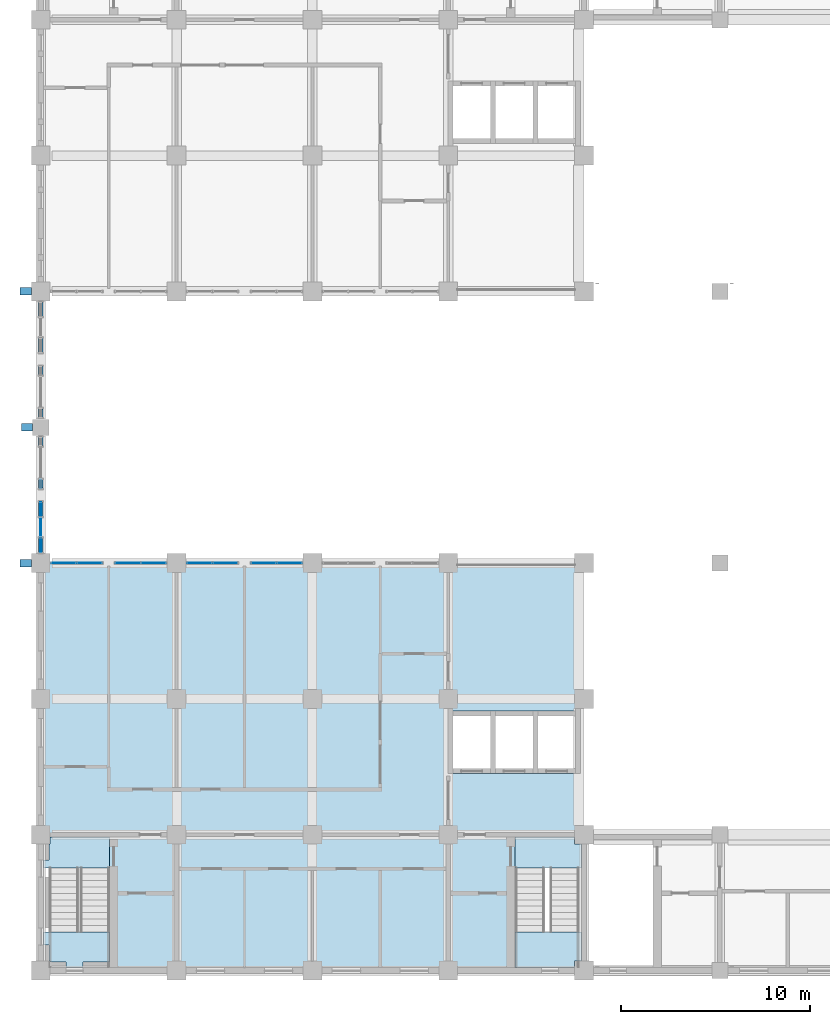
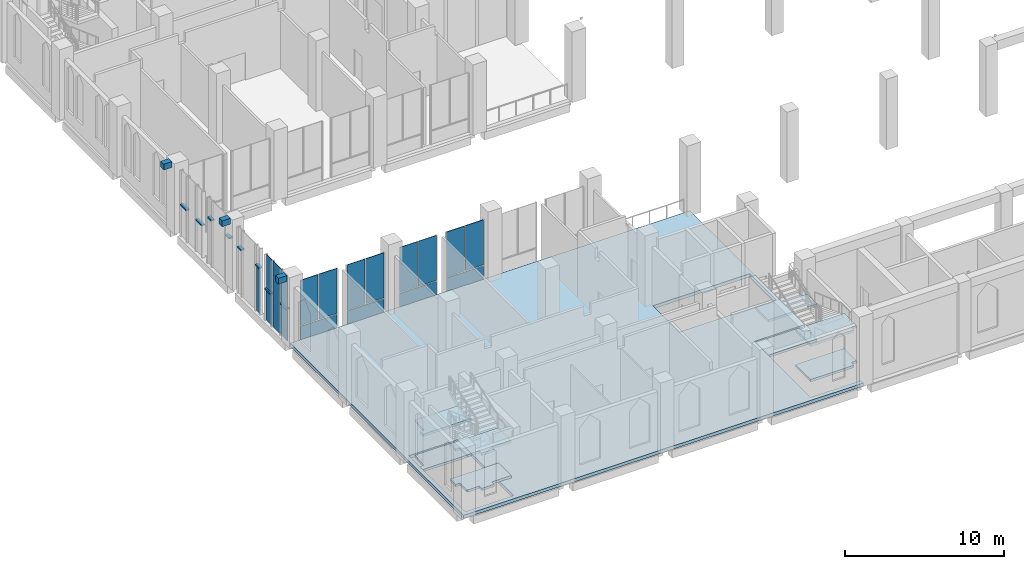
# One storey, part 21 of 48: 18 plates, 11 members, 9 slabs, 10 elements without a shape of their own.
"""IFC4 building model written with IfcOpenShell, lengths in metres."""

import ifcopenshell
import ifcopenshell.guid

model = None  # the IFC model being written
_history = None  # IfcOwnerHistory: only IFC2X3 demands one
_inside = {}  # id of a spatial element -> (the spatial element, [elements in it])
_under = {}  # id of a project, library or spatial element -> (it, [spatial elements below it])
_declared = {}  # id of a project -> (the project, [libraries it declares])
_typed = {}  # id of a type object -> (the type object, [elements of that type])
_made_of = {}  # id of a material, layer set ... -> (it, [elements and type objects made of it])


def new_model(schema):
    """Start an empty IFC model of exactly this schema.

    Asked for "IFC4X3", IfcOpenShell would pick the latest addendum, in which some entities
    have other attributes; the version numbers below select the first issue.
    IFC2X3 requires an IfcOwnerHistory on every rooted entity: one is made here for all.
    """
    global model, _history
    if schema == "IFC4X3":
        model = ifcopenshell.file(schema_version=(4, 3, 0, 0))
    else:
        model = ifcopenshell.file(schema=schema)
    _inside.clear()
    _under.clear()
    _declared.clear()
    _typed.clear()
    _made_of.clear()
    _history = None
    if model.schema == "IFC2X3":
        org = make("IfcOrganization", Name="unknown")
        user = make(
            "IfcPersonAndOrganization",
            ThePerson=make("IfcPerson", FamilyName="unknown"),
            TheOrganization=org,
        )
        app = make(
            "IfcApplication",
            ApplicationDeveloper=org,
            Version="unknown",
            ApplicationFullName="unknown",
            ApplicationIdentifier="unknown",
        )
        _history = make(
            "IfcOwnerHistory",
            OwningUser=user,
            OwningApplication=app,
            ChangeAction="ADDED",
            CreationDate=0,
        )
    return model


def make(cls, **values):
    """One entity of the class cls with the attributes given. An attribute that is None is left unset."""
    return model.create_entity(
        cls, **{name: value for name, value in values.items() if value is not None}
    )


def rooted(cls, **values):
    """An entity with a GlobalId (a new one), such as an element, a storey or a relation."""
    return make(cls, GlobalId=ifcopenshell.guid.new(), OwnerHistory=_history, **values)


def si_unit(unit_type, name, prefix=None):
    """IfcSIUnit, for example si_unit("LENGTHUNIT", "METRE", prefix="MILLI")."""
    return make("IfcSIUnit", UnitType=unit_type, Prefix=prefix, Name=name)


def assignment(units):
    """IfcUnitAssignment: the units of a project."""
    return None if units is None else make("IfcUnitAssignment", Units=units)


def point(xyz):
    """IfcCartesianPoint."""
    return None if xyz is None else make("IfcCartesianPoint", Coordinates=xyz)


def direction(xyz):
    """IfcDirection."""
    return None if xyz is None else make("IfcDirection", DirectionRatios=xyz)


def frame(location, z_axis=None, x_axis=None):
    """IfcAxis2Placement3D, a coordinate frame: its origin and axes. An axis left out is left unset."""
    return make(
        "IfcAxis2Placement3D",
        Location=point(location),
        Axis=direction(z_axis),
        RefDirection=direction(x_axis),
    )


def frame_2d(location, x_axis=None):
    """IfcAxis2Placement2D, a coordinate frame in the plane: its origin and x axis."""
    return make(
        "IfcAxis2Placement2D", Location=point(location), RefDirection=direction(x_axis)
    )


def origin():
    """The frame at (0, 0, 0) with its axes left unset."""
    return frame((0.0, 0.0, 0.0))


def origin_2d():
    """The frame at (0, 0) in the plane with its x axis left unset."""
    return frame_2d((0.0, 0.0))


def place(relative_to, where):
    """IfcLocalPlacement: puts the frame where relative to a parent placement (None: the world)."""
    return make(
        "IfcLocalPlacement", PlacementRelTo=relative_to, RelativePlacement=where
    )


def context(
    kind, dimensions, precision=None, world=None, true_north=None, identifier=None
):
    """IfcGeometricRepresentationContext, for example the 3D "Model" context."""
    return make(
        "IfcGeometricRepresentationContext",
        ContextIdentifier=identifier,
        ContextType=kind,
        CoordinateSpaceDimension=dimensions,
        Precision=precision,
        WorldCoordinateSystem=world,
        TrueNorth=true_north,
    )


def subcontext(parent, identifier, kind, view, scale=None):
    """IfcGeometricRepresentationSubContext, for example "Body" below "Model"."""
    return make(
        "IfcGeometricRepresentationSubContext",
        ContextIdentifier=identifier,
        ContextType=kind,
        ParentContext=parent,
        TargetScale=scale,
        TargetView=view,
    )


def project(units=None, contexts=None):
    """IfcProject with its units and contexts."""
    return rooted(
        "IfcProject",
        Name="project",
        RepresentationContexts=contexts,
        UnitsInContext=assignment(units),
    )


def spatial(cls, under=None, at=None, **own):
    """A site, building, storey or space (cls), placed at a placement, below another one or the project."""
    s = rooted(cls, ObjectPlacement=at, **own)
    if under is not None:
        _under.setdefault(under.id(), (under, []))[1].append(s)
    return s


def polyline(points):
    """IfcPolyline through the points."""
    return make("IfcPolyline", Points=[point(p) for p in points])


def profile(cls, at=None, kind="AREA", **sizes):
    """A parametric profile (cls). Its sizes go by their IFC names, for example OverallWidth=200.0."""
    return make(cls, ProfileType=kind, Position=at, **sizes)


def rectangle(**sizes):
    """IfcRectangleProfileDef."""
    return profile("IfcRectangleProfileDef", **sizes)


def hollow_rectangle(**sizes):
    """IfcRectangleHollowProfileDef."""
    return profile("IfcRectangleHollowProfileDef", **sizes)


def outline(outer, holes=None, kind="AREA"):
    """IfcArbitraryClosedProfileDef: a profile drawn as a closed curve; with holes, ...WithVoids."""
    if holes is None:
        return make("IfcArbitraryClosedProfileDef", ProfileType=kind, OuterCurve=outer)
    return make(
        "IfcArbitraryProfileDefWithVoids",
        ProfileType=kind,
        OuterCurve=outer,
        InnerCurves=holes,
    )


def extrude(swept, where, along, depth):
    """IfcExtrudedAreaSolid: the profile swept, set in the frame where, extruded along a direction by depth."""
    return make(
        "IfcExtrudedAreaSolid",
        SweptArea=swept,
        Position=where,
        ExtrudedDirection=direction(along),
        Depth=depth,
    )


def shape(context_of_items, identifier, shape_type, items):
    """IfcShapeRepresentation: the items that make up one representation, for example the "Body"."""
    return make(
        "IfcShapeRepresentation",
        ContextOfItems=context_of_items,
        RepresentationIdentifier=identifier,
        RepresentationType=shape_type,
        Items=items,
    )


def material(Name=None, Category=None):
    """IfcMaterial."""
    return make("IfcMaterial", Name=Name, Category=Category)


def layer(
    of_material, thickness, ventilated=None, Name=None, Category=None, Priority=None
):
    """IfcMaterialLayer: one layer of a wall or slab, of a material (None: an air gap)."""
    return make(
        "IfcMaterialLayer",
        Material=of_material,
        LayerThickness=thickness,
        IsVentilated=ventilated,
        Name=Name,
        Category=Category,
        Priority=Priority,
    )


def layer_set(layers, Name=None):
    """IfcMaterialLayerSet."""
    return make("IfcMaterialLayerSet", MaterialLayers=layers, LayerSetName=Name)


def material_profile(
    of_material, cross_section, Name=None, Category=None, Priority=None
):
    """IfcMaterialProfile: a cross section and its material."""
    return make(
        "IfcMaterialProfile",
        Name=Name,
        Material=of_material,
        Profile=cross_section,
        Priority=Priority,
        Category=Category,
    )


def profile_set(profiles, Name=None, composite=None):
    """IfcMaterialProfileSet."""
    return make(
        "IfcMaterialProfileSet",
        Name=Name,
        MaterialProfiles=profiles,
        CompositeProfile=composite,
    )


def made_of(thing, what):
    """Note that an element or type object is made of a material, layer set ...; save() writes the relation."""
    if what is not None:
        _made_of.setdefault(what.id(), (what, []))[1].append(thing)
    return thing


def type_object(cls, material=None, **own):
    """A type object (cls), such as IfcWallType, which elements share."""
    return made_of(rooted(cls, **own), material)


def element(
    cls,
    number,
    at=None,
    inside=None,
    cuts=None,
    type_object=None,
    material=None,
    context=None,
    identifier="Body",
    shape_type=None,
    held_by="IfcProductDefinitionShape",
    body=None,
    shapes=None,
    **own,
):
    """One element of the class cls, such as IfcWall. Its Tag is "e" and its number.

    at: its placement. inside: the storey or other place that contains it. cuts: it is an
    opening in that element (IfcRelVoidsElement). A single representation is given by context,
    identifier, shape_type and body (its items); several are given by shapes. held_by: the class
    of the entity that holds the representations. save() writes the other relations.
    """
    e = rooted(cls, Tag="e%d" % number, ObjectPlacement=at, **own)
    if body is not None:
        shapes = [shape(context, identifier, shape_type, body)]
    if shapes is not None:
        e.Representation = make(held_by, Representations=shapes)
    if inside is not None:
        _inside.setdefault(inside.id(), (inside, []))[1].append(e)
    if cuts is not None:
        rooted(
            "IfcRelVoidsElement", RelatingBuildingElement=cuts, RelatedOpeningElement=e
        )
    if type_object is not None:
        _typed.setdefault(type_object.id(), (type_object, []))[1].append(e)
    return made_of(e, material)


def aggregate(whole, parts):
    """IfcRelAggregates: a whole, such as a stair, and the parts it consists of."""
    return rooted("IfcRelAggregates", RelatingObject=whole, RelatedObjects=parts)


def save(model, path):
    """Write the relations noted so far, then the file.

    IfcRelAggregates (storeys below a building ...), IfcRelContainedInSpatialStructure (elements
    in a storey), IfcRelDefinesByType, IfcRelAssociatesMaterial and IfcRelDeclares: one each for
    every whole, place, type object, material and project.
    """
    for whole, parts in _under.values():
        aggregate(whole, parts)
    for where, things in _inside.values():
        rooted(
            "IfcRelContainedInSpatialStructure",
            RelatedElements=things,
            RelatingStructure=where,
        )
    for kind, things in _typed.values():
        rooted("IfcRelDefinesByType", RelatedObjects=things, RelatingType=kind)
    for what, things in _made_of.values():
        rooted("IfcRelAssociatesMaterial", RelatedObjects=things, RelatingMaterial=what)
    for by, libraries in _declared.values():
        rooted("IfcRelDeclares", RelatingContext=by, RelatedDefinitions=libraries)
    model.write(path)


model = new_model("IFC4")

# Units and contexts
model_context = context("Model", 3, precision=1e-05, world=origin(), true_north=direction((0.0, 1.0)))
body_context = subcontext(model_context, "Body", "Model", "MODEL_VIEW")
ifc_project = project(units=[si_unit("LENGTHUNIT", "METRE"), si_unit("AREAUNIT", "SQUARE_METRE"), si_unit("VOLUMEUNIT", "CUBIC_METRE"), si_unit("PLANEANGLEUNIT", "RADIAN"), si_unit("MASSUNIT", "GRAM", prefix="KILO")], contexts=[model_context])

# Site, building, storey
site_placement = place(None, origin())
site = spatial("IfcSite", under=ifc_project, at=site_placement, CompositionType="ELEMENT")
building_placement = place(site_placement, origin())
building = spatial("IfcBuilding", under=site, at=building_placement, Name="Silangan Lancet Faculty of Sciences", CompositionType="ELEMENT")
storey_placement = place(building_placement, frame((0.0, 0.0, 6.0)))
storey = spatial("IfcBuildingStorey", under=building, at=storey_placement, Name="L01", CompositionType="ELEMENT", Elevation=6.0)

# Curtain wall, members
ifc_material_1 = material(Name="Aluminium framed curtain wall with insulated glass", Category="aluminium")
curtain_wall_type_1 = type_object("IfcCurtainWallType", Name="CW3 West stepped lancet window", PredefinedType="NOTDEFINED", material=ifc_material_1)
curtain_wall_1_placement = place(storey_placement, origin())
curtain_wall_1 = element("IfcCurtainWall", 1, at=curtain_wall_1_placement, inside=storey, type_object=curtain_wall_type_1, Name="CW3 West window L01 bay 1", PredefinedType="NOTDEFINED")
ifc_material_2 = material(Name="Aluminium 6063-T6 extrusion", Category="aluminium")
ifc_material_profile_1 = material_profile(ifc_material_2, hollow_rectangle(XDim=0.25, YDim=0.10009765625, WallThickness=0.0048828125, at=origin_2d()), Name="AL BOX 250x100x5")
ifc_profile_set_1 = profile_set([ifc_material_profile_1], Name="Aluminium 6063-T6 extrusion")
member_type_1 = type_object("IfcMemberType", Name="CT3 Transom 250x100", PredefinedType="USERDEFINED", material=ifc_profile_set_1)
member_1_placement = place(storey_placement, frame((0.0, 22.175048828125, 2.199951171875), z_axis=(0.0, 1.0, 0.0), x_axis=(-1.0, 0.0, 0.0)))
member_1 = element("IfcMember", 2, at=member_1_placement, type_object=member_type_1, Name="CW3 West window L01 bay 1 transom 1", ObjectType="TRANSOM", PredefinedType="USERDEFINED", context=body_context, shape_type="SweptSolid", body=[
    extrude(hollow_rectangle(XDim=0.25, YDim=0.10009765625, WallThickness=0.0048828125, at=origin_2d()), origin(), (0.0, 0.0, 1.0), 0.75),
])
member_2_placement = place(storey_placement, frame((0.0, 24.074951171875, 2.199951171875), z_axis=(0.0, 1.0, 0.0), x_axis=(-1.0, 0.0, 0.0)))
member_2 = element("IfcMember", 3, at=member_2_placement, type_object=member_type_1, Name="CW3 West window L01 bay 1 transom 2", ObjectType="TRANSOM", PredefinedType="USERDEFINED", context=body_context, shape_type="SweptSolid", body=[
    extrude(hollow_rectangle(XDim=0.25, YDim=0.10009765625, WallThickness=0.0048828125, at=origin_2d()), origin(), (0.0, 0.0, 1.0), 0.75),
])

ifc_material_3 = material(Name="Aluminium framed curtain wall with insulated glass", Category="aluminium")
curtain_wall_type_2 = type_object("IfcCurtainWallType", Name="CW6 West window middle bays", PredefinedType="NOTDEFINED", material=ifc_material_3)
curtain_wall_2_placement = place(storey_placement, origin())
curtain_wall_2 = element("IfcCurtainWall", 4, at=curtain_wall_2_placement, inside=storey, type_object=curtain_wall_type_2, Name="CW6 West window L01 bay 2", PredefinedType="NOTDEFINED")
member_3_placement = place(storey_placement, frame((0.0, 25.574951171875, 3.300048828125), z_axis=(0.0, 1.0, 0.0), x_axis=(-1.0, 0.0, 0.0)))
member_3 = element("IfcMember", 5, at=member_3_placement, type_object=member_type_1, Name="CW6 West window L01 bay 2 transom 1", ObjectType="TRANSOM", PredefinedType="USERDEFINED", context=body_context, shape_type="SweptSolid", body=[
    extrude(hollow_rectangle(XDim=0.25, YDim=0.10009765625, WallThickness=0.0048828125, at=origin_2d()), origin(), (0.0, 0.0, 1.0), 0.449951171875),
])
member_4_placement = place(storey_placement, frame((0.0, 27.824951171875, 3.300048828125), z_axis=(0.0, 1.0, 0.0), x_axis=(-1.0, 0.0, 0.0)))
member_4 = element("IfcMember", 6, at=member_4_placement, type_object=member_type_1, Name="CW6 West window L01 bay 2 transom 2", ObjectType="TRANSOM", PredefinedType="USERDEFINED", context=body_context, shape_type="SweptSolid", body=[
    extrude(hollow_rectangle(XDim=0.25, YDim=0.10009765625, WallThickness=0.0048828125, at=origin_2d()), origin(), (0.0, 0.0, 1.0), 0.449951171875),
])

curtain_wall_3_placement = place(storey_placement, origin())
curtain_wall_3 = element("IfcCurtainWall", 7, at=curtain_wall_3_placement, inside=storey, type_object=curtain_wall_type_2, Name="CW6 West window L01 bay 3", PredefinedType="NOTDEFINED")
member_5_placement = place(storey_placement, frame((0.0, 29.324951171875, 3.300048828125), z_axis=(0.0, 1.0, 0.0), x_axis=(-1.0, 0.0, 0.0)))
member_5 = element("IfcMember", 8, at=member_5_placement, type_object=member_type_1, Name="CW6 West window L01 bay 3 transom 1", ObjectType="TRANSOM", PredefinedType="USERDEFINED", context=body_context, shape_type="SweptSolid", body=[
    extrude(hollow_rectangle(XDim=0.25, YDim=0.10009765625, WallThickness=0.0048828125, at=origin_2d()), origin(), (0.0, 0.0, 1.0), 0.449951171875),
])
member_6_placement = place(storey_placement, frame((0.0, 31.574951171875, 3.300048828125), z_axis=(0.0, 1.0, 0.0), x_axis=(-1.0, 0.0, 0.0)))
member_6 = element("IfcMember", 9, at=member_6_placement, type_object=member_type_1, Name="CW6 West window L01 bay 3 transom 2", ObjectType="TRANSOM", PredefinedType="USERDEFINED", context=body_context, shape_type="SweptSolid", body=[
    extrude(hollow_rectangle(XDim=0.25, YDim=0.10009765625, WallThickness=0.0048828125, at=origin_2d()), origin(), (0.0, 0.0, 1.0), 0.449951171875),
])
aggregate(curtain_wall_3, [member_5, member_6])

curtain_wall_4_placement = place(storey_placement, origin())
curtain_wall_4 = element("IfcCurtainWall", 10, at=curtain_wall_4_placement, inside=storey, type_object=curtain_wall_type_1, Name="CW3 West window L01 bay 4", PredefinedType="NOTDEFINED")
member_7_placement = place(storey_placement, frame((0.0, 32.77490234375, 2.199951171875), z_axis=(0.0, 1.0, 0.0), x_axis=(-1.0, 0.0, 0.0)))
member_7 = element("IfcMember", 11, at=member_7_placement, type_object=member_type_1, Name="CW3 West window L01 bay 4 transom 1", ObjectType="TRANSOM", PredefinedType="USERDEFINED", context=body_context, shape_type="SweptSolid", body=[
    extrude(hollow_rectangle(XDim=0.25, YDim=0.10009765625, WallThickness=0.0048828125, at=origin_2d()), origin(), (0.0, 0.0, 1.0), 0.75),
])
member_8_placement = place(storey_placement, frame((0.0, 34.675048828125, 2.199951171875), z_axis=(0.0, 1.0, 0.0), x_axis=(-1.0, 0.0, 0.0)))
member_8 = element("IfcMember", 12, at=member_8_placement, type_object=member_type_1, Name="CW3 West window L01 bay 4 transom 2", ObjectType="TRANSOM", PredefinedType="USERDEFINED", context=body_context, shape_type="SweptSolid", body=[
    extrude(hollow_rectangle(XDim=0.25, YDim=0.10009765625, WallThickness=0.0048828125, at=origin_2d()), origin(), (0.0, 0.0, 1.0), 0.75),
])
aggregate(curtain_wall_4, [member_7, member_8])

# Members
ifc_material_4 = material(Name="Concrete C40/50 precast", Category="concrete")
ifc_material_profile_2 = material_profile(ifc_material_4, rectangle(XDim=0.39990234375, YDim=0.449951171875, at=origin_2d()), Name="RC 400x450")
ifc_profile_set_2 = profile_set([ifc_material_profile_2], Name="Concrete C40/50 precast")
member_type_2 = type_object("IfcMemberType", Name="KC2 Buttress corbel 400x450", PredefinedType="USERDEFINED", material=ifc_profile_set_2)
for number, where, z_axis, x_axis, name in (
    (13, (-0.5, 21.60009765625, 5.175048828125), (-1.0, 0.0, 0.0), (0.0, -1.0, 0.0), "CORBEL-FINC-W-NAVE-01"),
    (14, (-0.425048828125, 28.800048828125, 5.175048828125), (-1.0, 0.0, 0.0), (0.0, -1.0, 0.0), "CORBEL-FINC-W-NAVE-02"),
    (15, (-0.5, 36.0, 5.175048828125), (-1.0, 0.0, 0.0), (0.0, -1.0, 0.0), "CORBEL-FINC-W-NAVE-03"),
):
    element("IfcMember", number, at=place(storey_placement, frame(where, z_axis=z_axis, x_axis=x_axis)), inside=storey, type_object=member_type_2, Name=name, ObjectType="CORBEL", PredefinedType="USERDEFINED", context=body_context, shape_type="SweptSolid", body=[
        extrude(rectangle(XDim=0.39990234375, YDim=0.449951171875, at=origin_2d()), origin(), (0.0, 0.0, 1.0), 0.60009765625),
    ])

# Plate
ifc_material_5 = material(Name="Insulated glass unit 8+16+8 low-emissivity", Category="glass")
ifc_layer_1 = layer(ifc_material_5, 0.031982421875)
ifc_layer_set_1 = layer_set([ifc_layer_1], Name="Insulated glass unit 8+16+8 low-emissivity")
plate_type_1 = type_object("IfcPlateType", Name="CP1 Panel vision glass 32", PredefinedType="CURTAIN_PANEL", material=ifc_layer_set_1)
plate_1_placement = place(storey_placement, frame((0.0, 22.550048828125, 2.25), z_axis=(0.0, 0.0, 1.0), x_axis=(0.0, 1.0, 0.0)))
plate_1 = element("IfcPlate", 16, at=plate_1_placement, type_object=plate_type_1, Name="CW3 West window L01 bay 1 panel 3", PredefinedType="CURTAIN_PANEL", context=body_context, shape_type="SweptSolid", body=[
    extrude(rectangle(XDim=0.75, YDim=0.031982421875, at=origin_2d()), origin(), (0.0, 0.0, 1.0), 2.550048828125),
])

plate_2_placement = place(storey_placement, frame((0.0, 24.449951171875, 2.25), z_axis=(0.0, 0.0, 1.0), x_axis=(0.0, 1.0, 0.0)))
plate_2 = element("IfcPlate", 17, at=plate_2_placement, type_object=plate_type_1, Name="CW3 West window L01 bay 1 panel 4", PredefinedType="CURTAIN_PANEL", context=body_context, shape_type="SweptSolid", body=[
    extrude(rectangle(XDim=0.75, YDim=0.031982421875, at=origin_2d()), origin(), (0.0, 0.0, 1.0), 2.550048828125),
])

ifc_material_6 = material(Name="Laminated insulated glass unit 10.76+14+8", Category="glass")
ifc_layer_2 = layer(ifc_material_6, 0.035888671875)
ifc_layer_set_2 = layer_set([ifc_layer_2], Name="Laminated insulated glass unit 10.76+14+8")
plate_type_2 = type_object("IfcPlateType", Name="CP2 Panel laminated glass 36", PredefinedType="CURTAIN_PANEL", material=ifc_layer_set_2)
plate_3_placement = place(storey_placement, frame((0.0, 22.550048828125, -0.25), z_axis=(0.0, 0.0, 1.0), x_axis=(0.0, 1.0, 0.0)))
plate_3 = element("IfcPlate", 18, at=plate_3_placement, type_object=plate_type_2, Name="CW3 West window L01 bay 1 panel 1", PredefinedType="CURTAIN_PANEL", context=body_context, shape_type="SweptSolid", body=[
    extrude(rectangle(XDim=0.75, YDim=0.035888671875, at=origin_2d()), origin(), (0.0, 0.0, 1.0), 2.39990234375),
])

plate_4_placement = place(storey_placement, frame((0.0, 24.449951171875, -0.25), z_axis=(0.0, 0.0, 1.0), x_axis=(0.0, 1.0, 0.0)))
plate_4 = element("IfcPlate", 19, at=plate_4_placement, type_object=plate_type_2, Name="CW3 West window L01 bay 1 panel 2", PredefinedType="CURTAIN_PANEL", context=body_context, shape_type="SweptSolid", body=[
    extrude(rectangle(XDim=0.75, YDim=0.035888671875, at=origin_2d()), origin(), (0.0, 0.0, 1.0), 2.39990234375),
])

plate_5_placement = place(storey_placement, frame((0.0, 23.5, -0.25), z_axis=(0.0, 0.0, 1.0), x_axis=(0.0, 1.0, 0.0)))
plate_5 = element("IfcPlate", 20, at=plate_5_placement, type_object=plate_type_2, Name="CW3 West window L01 bay 1 panel 5", PredefinedType="CURTAIN_PANEL", context=body_context, shape_type="SweptSolid", body=[
    extrude(rectangle(XDim=1.0, YDim=0.035888671875, at=origin_2d()), origin(), (0.0, 0.0, 1.0), 5.050048828125),
])

aggregate(curtain_wall_1, [member_1, member_2, plate_3, plate_4, plate_1, plate_2, plate_5])

plate_6_placement = place(storey_placement, frame((0.0, 25.800048828125, -0.25), z_axis=(0.0, 0.0, 1.0), x_axis=(0.0, 1.0, 0.0)))
plate_6 = element("IfcPlate", 21, at=plate_6_placement, type_object=plate_type_2, Name="CW6 West window L01 bay 2 panel 1", PredefinedType="CURTAIN_PANEL", context=body_context, shape_type="SweptSolid", body=[
    extrude(rectangle(XDim=0.449951171875, YDim=0.035888671875, at=origin_2d()), origin(), (0.0, 0.0, 1.0), 3.5),
])

aggregate(curtain_wall_2, [member_3, member_4, plate_6])

# Curtain wall, plates
ifc_material_7 = material(Name="Aluminium framed curtain wall with insulated glass", Category="aluminium")
curtain_wall_type_3 = type_object("IfcCurtainWallType", Name="CW2 Atrium fire-resisting screen", PredefinedType="NOTDEFINED", material=ifc_material_7)
curtain_wall_5_placement = place(storey_placement, origin())
curtain_wall_5 = element("IfcCurtainWall", 22, at=curtain_wall_5_placement, inside=storey, type_object=curtain_wall_type_3, Name="CW2 Atrium south L01 bay 3", PredefinedType="NOTDEFINED")
ifc_material_8 = material(Name="Fire-resisting glass unit 40 mm, integrity E", Category="glass")
ifc_layer_3 = layer(ifc_material_8, 0.0400390625)
ifc_layer_set_3 = layer_set([ifc_layer_3], Name="Fire-resisting glass unit 40 mm, integrity E")
plate_type_3 = type_object("IfcPlateType", Name="CP3 Panel fire-resisting glass 40", PredefinedType="CURTAIN_PANEL", material=ifc_layer_set_3)
plate_7_placement = place(storey_placement, frame((12.5, 21.60009765625, 0.0), z_axis=(0.0, 0.0, 1.0), x_axis=(-1.0, 0.0, 0.0)))
plate_7 = element("IfcPlate", 23, at=plate_7_placement, type_object=plate_type_3, Name="CW2 Atrium south L01 bay 3 panel 1", PredefinedType="CURTAIN_PANEL", context=body_context, shape_type="SweptSolid", body=[
    extrude(rectangle(XDim=2.64990234375, YDim=0.0400390625, at=origin_2d()), origin(), (0.0, 0.0, 1.0), 1.02490234375),
])
plate_8_placement = place(storey_placement, frame((13.18115234375, 21.60009765625, 1.10009765625), z_axis=(0.0, 0.0, 1.0), x_axis=(-1.0, 0.0, 0.0)))
plate_8 = element("IfcPlate", 24, at=plate_8_placement, type_object=plate_type_3, Name="CW2 Atrium south L01 bay 3 panel 2", PredefinedType="CURTAIN_PANEL", context=body_context, shape_type="SweptSolid", body=[
    extrude(rectangle(XDim=1.28759765625, YDim=0.0400390625, at=origin_2d()), origin(), (0.0, 0.0, 1.0), 3.449951171875),
])
plate_9_placement = place(storey_placement, frame((11.81884765625, 21.60009765625, 1.10009765625), z_axis=(0.0, 0.0, 1.0), x_axis=(-1.0, 0.0, 0.0)))
plate_9 = element("IfcPlate", 25, at=plate_9_placement, type_object=plate_type_3, Name="CW2 Atrium south L01 bay 3 panel 3", PredefinedType="CURTAIN_PANEL", context=body_context, shape_type="SweptSolid", body=[
    extrude(rectangle(XDim=1.28759765625, YDim=0.0400390625, at=origin_2d()), origin(), (0.0, 0.0, 1.0), 3.449951171875),
])
aggregate(curtain_wall_5, [plate_7, plate_8, plate_9])

curtain_wall_6_placement = place(storey_placement, origin())
curtain_wall_6 = element("IfcCurtainWall", 26, at=curtain_wall_6_placement, inside=storey, type_object=curtain_wall_type_3, Name="CW2 Atrium south L01 bay 4", PredefinedType="NOTDEFINED")
plate_10_placement = place(storey_placement, frame((9.10009765625, 21.60009765625, 0.0), z_axis=(0.0, 0.0, 1.0), x_axis=(-1.0, 0.0, 0.0)))
plate_10 = element("IfcPlate", 27, at=plate_10_placement, type_object=plate_type_3, Name="CW2 Atrium south L01 bay 4 panel 1", PredefinedType="CURTAIN_PANEL", context=body_context, shape_type="SweptSolid", body=[
    extrude(rectangle(XDim=2.64990234375, YDim=0.0400390625, at=origin_2d()), origin(), (0.0, 0.0, 1.0), 1.02490234375),
])
plate_11_placement = place(storey_placement, frame((9.78125, 21.60009765625, 1.10009765625), z_axis=(0.0, 0.0, 1.0), x_axis=(-1.0, 0.0, 0.0)))
plate_11 = element("IfcPlate", 28, at=plate_11_placement, type_object=plate_type_3, Name="CW2 Atrium south L01 bay 4 panel 2", PredefinedType="CURTAIN_PANEL", context=body_context, shape_type="SweptSolid", body=[
    extrude(rectangle(XDim=1.28759765625, YDim=0.0400390625, at=origin_2d()), origin(), (0.0, 0.0, 1.0), 3.449951171875),
])
plate_12_placement = place(storey_placement, frame((8.418701171875, 21.60009765625, 1.10009765625), z_axis=(0.0, 0.0, 1.0), x_axis=(-1.0, 0.0, 0.0)))
plate_12 = element("IfcPlate", 29, at=plate_12_placement, type_object=plate_type_3, Name="CW2 Atrium south L01 bay 4 panel 3", PredefinedType="CURTAIN_PANEL", context=body_context, shape_type="SweptSolid", body=[
    extrude(rectangle(XDim=1.28759765625, YDim=0.0400390625, at=origin_2d()), origin(), (0.0, 0.0, 1.0), 3.449951171875),
])
aggregate(curtain_wall_6, [plate_10, plate_11, plate_12])

curtain_wall_7_placement = place(storey_placement, origin())
curtain_wall_7 = element("IfcCurtainWall", 30, at=curtain_wall_7_placement, inside=storey, type_object=curtain_wall_type_3, Name="CW2 Atrium south L01 bay 5", PredefinedType="NOTDEFINED")
plate_13_placement = place(storey_placement, frame((5.300048828125, 21.60009765625, 0.0), z_axis=(0.0, 0.0, 1.0), x_axis=(-1.0, 0.0, 0.0)))
plate_13 = element("IfcPlate", 31, at=plate_13_placement, type_object=plate_type_3, Name="CW2 Atrium south L01 bay 5 panel 1", PredefinedType="CURTAIN_PANEL", context=body_context, shape_type="SweptSolid", body=[
    extrude(rectangle(XDim=2.64990234375, YDim=0.0400390625, at=origin_2d()), origin(), (0.0, 0.0, 1.0), 1.02490234375),
])
plate_14_placement = place(storey_placement, frame((5.981201171875, 21.60009765625, 1.10009765625), z_axis=(0.0, 0.0, 1.0), x_axis=(-1.0, 0.0, 0.0)))
plate_14 = element("IfcPlate", 32, at=plate_14_placement, type_object=plate_type_3, Name="CW2 Atrium south L01 bay 5 panel 2", PredefinedType="CURTAIN_PANEL", context=body_context, shape_type="SweptSolid", body=[
    extrude(rectangle(XDim=1.287353515625, YDim=0.0400390625, at=origin_2d()), origin(), (0.0, 0.0, 1.0), 3.449951171875),
])
plate_15_placement = place(storey_placement, frame((4.618896484375, 21.60009765625, 1.10009765625), z_axis=(0.0, 0.0, 1.0), x_axis=(-1.0, 0.0, 0.0)))
plate_15 = element("IfcPlate", 33, at=plate_15_placement, type_object=plate_type_3, Name="CW2 Atrium south L01 bay 5 panel 3", PredefinedType="CURTAIN_PANEL", context=body_context, shape_type="SweptSolid", body=[
    extrude(rectangle(XDim=1.287353515625, YDim=0.0400390625, at=origin_2d()), origin(), (0.0, 0.0, 1.0), 3.449951171875),
])
aggregate(curtain_wall_7, [plate_13, plate_14, plate_15])

curtain_wall_8_placement = place(storey_placement, origin())
curtain_wall_8 = element("IfcCurtainWall", 34, at=curtain_wall_8_placement, inside=storey, type_object=curtain_wall_type_3, Name="CW2 Atrium south L01 bay 6", PredefinedType="NOTDEFINED")
plate_16_placement = place(storey_placement, frame((1.900146484375, 21.60009765625, 0.0), z_axis=(0.0, 0.0, 1.0), x_axis=(-1.0, 0.0, 0.0)))
plate_16 = element("IfcPlate", 35, at=plate_16_placement, type_object=plate_type_3, Name="CW2 Atrium south L01 bay 6 panel 1", PredefinedType="CURTAIN_PANEL", context=body_context, shape_type="SweptSolid", body=[
    extrude(rectangle(XDim=2.650146484375, YDim=0.0400390625, at=origin_2d()), origin(), (0.0, 0.0, 1.0), 1.02490234375),
])
plate_17_placement = place(storey_placement, frame((2.581298828125, 21.60009765625, 1.10009765625), z_axis=(0.0, 0.0, 1.0), x_axis=(-1.0, 0.0, 0.0)))
plate_17 = element("IfcPlate", 36, at=plate_17_placement, type_object=plate_type_3, Name="CW2 Atrium south L01 bay 6 panel 2", PredefinedType="CURTAIN_PANEL", context=body_context, shape_type="SweptSolid", body=[
    extrude(rectangle(XDim=1.28759765625, YDim=0.0400390625, at=origin_2d()), origin(), (0.0, 0.0, 1.0), 3.449951171875),
])
plate_18_placement = place(storey_placement, frame((1.21875, 21.60009765625, 1.10009765625), z_axis=(0.0, 0.0, 1.0), x_axis=(-1.0, 0.0, 0.0)))
plate_18 = element("IfcPlate", 37, at=plate_18_placement, type_object=plate_type_3, Name="CW2 Atrium south L01 bay 6 panel 3", PredefinedType="CURTAIN_PANEL", context=body_context, shape_type="SweptSolid", body=[
    extrude(rectangle(XDim=1.28759765625, YDim=0.0400390625, at=origin_2d()), origin(), (0.0, 0.0, 1.0), 3.449951171875),
])
aggregate(curtain_wall_8, [plate_16, plate_17, plate_18])

# Slab
ifc_material_9 = material(Name="Concrete C35/45", Category="concrete")
ifc_layer_4 = layer(ifc_material_9, 0.25)
ifc_layer_set_4 = layer_set([ifc_layer_4], Name="Concrete C35/45")
slab_type_1 = type_object("IfcSlabType", Name="SLAB FLOOR 250", PredefinedType="FLOOR", material=ifc_layer_set_4)
slab_1_placement = place(storey_placement, frame((0.0, 0.0, -0.25)))
element("IfcSlab", 38, at=slab_1_placement, inside=storey, type_object=slab_type_1, Name="SLAB-L01-ST", PredefinedType="FLOOR", context=body_context, shape_type="SweptSolid", body=[
    extrude(outline(polyline([(28.800048828125, -0.14990234375), (28.800048828125, 0.14990234375), (25.14990234375, 0.14990234375), (25.14990234375, 7.199951171875), (28.800048828125, 7.199951171875), (28.800048828125, 21.60009765625), (-0.14990234375, 21.60009765625), (-0.14990234375, -0.14990234375), (28.800048828125, -0.14990234375)]), holes=[polyline([(3.64990234375, 7.199951171875), (3.64990234375, 0.14990234375), (0.14990234375, 0.14990234375), (0.14990234375, 7.199951171875), (3.64990234375, 7.199951171875)]), polyline([(28.60009765625, 13.75), (28.60009765625, 10.449951171875), (21.60009765625, 10.449951171875), (21.60009765625, 13.75), (28.60009765625, 13.75)])]), origin(), (0.0, 0.0, 1.0), 0.25),
])

# Stair, slabs
ifc_material_10 = material(Name="Concrete C40/50", Category="concrete")
stair_type = type_object("IfcStairType", Name="TURRET STAIR 1550 FOUR-FLIGHT", PredefinedType="DOUBLE_RETURN_STAIR", material=ifc_material_10)
stair_1_placement = place(storey_placement, origin())
stair_1 = element("IfcStair", 39, at=stair_1_placement, inside=storey, type_object=stair_type, Name="ST-A stair L01", PredefinedType="DOUBLE_RETURN_STAIR")
ifc_material_11 = material(Name="Concrete C40/50", Category="concrete")
ifc_layer_5 = layer(ifc_material_11, 0.179931640625)
ifc_layer_set_5 = layer_set([ifc_layer_5], Name="Concrete C40/50")
slab_type_2 = type_object("IfcSlabType", Name="TURRET STAIR LANDING RC 180", PredefinedType="LANDING", material=ifc_layer_set_5)
slab_2_placement = place(storey_placement, frame((0.0, 0.0, -0.179931640625)))
slab_2 = element("IfcSlab", 40, at=slab_2_placement, type_object=slab_type_2, Name="STR1 landing 1", PredefinedType="LANDING", context=body_context, shape_type="SweptSolid", body=[
    extrude(outline(polyline([(0.14990234375, 5.85009765625), (0.449951171875, 5.85009765625), (0.449951171875, 6.699951171875), (0.5, 6.699951171875), (0.5, 7.074951171875), (3.64990234375, 7.074951171875), (3.64990234375, 5.449951171875), (0.14990234375, 5.449951171875), (0.14990234375, 5.85009765625)])), origin(), (0.0, 0.0, 1.0), 0.179931640625),
])
slab_3_placement = place(storey_placement, frame((0.0, 0.0, 1.169921875)))
slab_3 = element("IfcSlab", 41, at=slab_3_placement, type_object=slab_type_2, Name="STR1 landing 2", PredefinedType="LANDING", context=body_context, shape_type="SweptSolid", body=[
    extrude(outline(polyline([(0.449951171875, 1.35009765625), (0.14990234375, 1.35009765625), (0.14990234375, 2.050048828125), (3.64990234375, 2.050048828125), (3.64990234375, 0.449951171875), (2.25, 0.449951171875), (2.25, 0.14990234375), (1.35009765625, 0.14990234375), (1.35009765625, 0.449951171875), (0.5, 0.449951171875), (0.5, 0.5), (0.449951171875, 0.5), (0.449951171875, 1.35009765625)])), origin(), (0.0, 0.0, 1.0), 0.18017578125),
])
slab_4_placement = place(storey_placement, frame((0.0, 0.0, 2.52001953125)))
slab_4 = element("IfcSlab", 42, at=slab_4_placement, type_object=slab_type_2, Name="STR1 landing 3", PredefinedType="LANDING", context=body_context, shape_type="SweptSolid", body=[
    extrude(outline(polyline([(0.14990234375, 5.85009765625), (0.449951171875, 5.85009765625), (0.449951171875, 6.699951171875), (0.5, 6.699951171875), (0.5, 7.074951171875), (3.64990234375, 7.074951171875), (3.64990234375, 5.449951171875), (0.14990234375, 5.449951171875), (0.14990234375, 5.85009765625)])), origin(), (0.0, 0.0, 1.0), 0.179931640625),
])
slab_5_placement = place(storey_placement, frame((0.0, 0.0, 3.8701171875)))
slab_5 = element("IfcSlab", 43, at=slab_5_placement, type_object=slab_type_2, Name="STR1 landing 4", PredefinedType="LANDING", context=body_context, shape_type="SweptSolid", body=[
    extrude(outline(polyline([(0.449951171875, 1.35009765625), (0.14990234375, 1.35009765625), (0.14990234375, 2.050048828125), (3.64990234375, 2.050048828125), (3.64990234375, 0.449951171875), (2.25, 0.449951171875), (2.25, 0.14990234375), (1.35009765625, 0.14990234375), (1.35009765625, 0.449951171875), (0.5, 0.449951171875), (0.5, 0.5), (0.449951171875, 0.5), (0.449951171875, 1.35009765625)])), origin(), (0.0, 0.0, 1.0), 0.179931640625),
])
aggregate(stair_1, [slab_2, slab_3, slab_4, slab_5])

stair_2_placement = place(storey_placement, origin())
stair_2 = element("IfcStair", 44, at=stair_2_placement, inside=storey, type_object=stair_type, Name="ST-B stair L01", PredefinedType="DOUBLE_RETURN_STAIR")
slab_6_placement = place(storey_placement, frame((0.0, 0.0, -0.179931640625)))
slab_6 = element("IfcSlab", 45, at=slab_6_placement, type_object=slab_type_2, Name="STR2 landing 1", PredefinedType="LANDING", context=body_context, shape_type="SweptSolid", body=[
    extrude(outline(polyline([(28.300048828125, 7.074951171875), (28.300048828125, 6.699951171875), (28.675048828125, 6.699951171875), (28.675048828125, 5.449951171875), (25.14990234375, 5.449951171875), (25.14990234375, 7.074951171875), (28.300048828125, 7.074951171875)])), origin(), (0.0, 0.0, 1.0), 0.179931640625),
])
slab_7_placement = place(storey_placement, frame((0.0, 0.0, 1.169921875)))
slab_7 = element("IfcSlab", 46, at=slab_7_placement, type_object=slab_type_2, Name="STR2 landing 2", PredefinedType="LANDING", context=body_context, shape_type="SweptSolid", body=[
    extrude(outline(polyline([(28.675048828125, 2.050048828125), (28.675048828125, 0.5), (28.300048828125, 0.5), (28.300048828125, 0.14990234375), (25.14990234375, 0.14990234375), (25.14990234375, 2.050048828125), (28.675048828125, 2.050048828125)])), origin(), (0.0, 0.0, 1.0), 0.18017578125),
])
slab_8_placement = place(storey_placement, frame((0.0, 0.0, 2.52001953125)))
slab_8 = element("IfcSlab", 47, at=slab_8_placement, type_object=slab_type_2, Name="STR2 landing 3", PredefinedType="LANDING", context=body_context, shape_type="SweptSolid", body=[
    extrude(outline(polyline([(28.300048828125, 7.074951171875), (28.300048828125, 6.699951171875), (28.675048828125, 6.699951171875), (28.675048828125, 5.449951171875), (25.14990234375, 5.449951171875), (25.14990234375, 7.074951171875), (28.300048828125, 7.074951171875)])), origin(), (0.0, 0.0, 1.0), 0.179931640625),
])
slab_9_placement = place(storey_placement, frame((0.0, 0.0, 3.8701171875)))
slab_9 = element("IfcSlab", 48, at=slab_9_placement, type_object=slab_type_2, Name="STR2 landing 4", PredefinedType="LANDING", context=body_context, shape_type="SweptSolid", body=[
    extrude(outline(polyline([(28.675048828125, 2.050048828125), (28.675048828125, 0.5), (28.300048828125, 0.5), (28.300048828125, 0.14990234375), (25.14990234375, 0.14990234375), (25.14990234375, 2.050048828125), (28.675048828125, 2.050048828125)])), origin(), (0.0, 0.0, 1.0), 0.179931640625),
])
aggregate(stair_2, [slab_6, slab_7, slab_8, slab_9])

save(model, "model.ifc")
